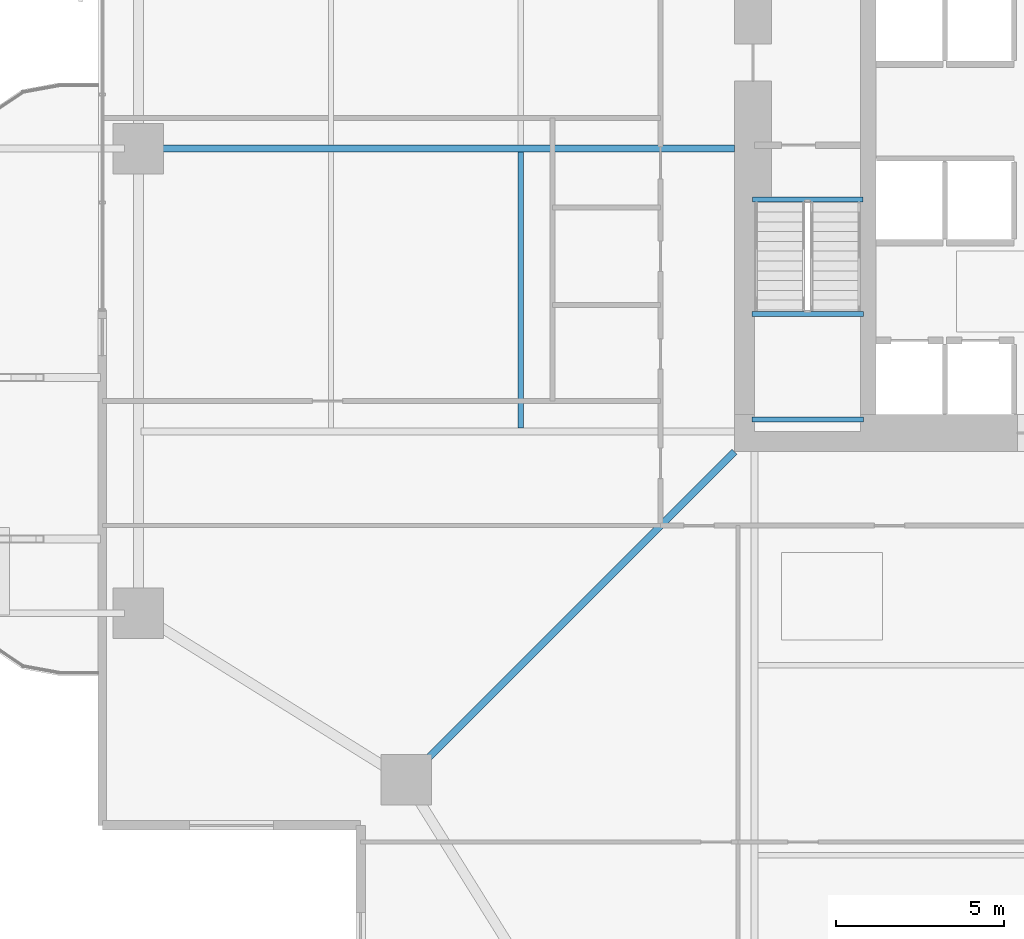
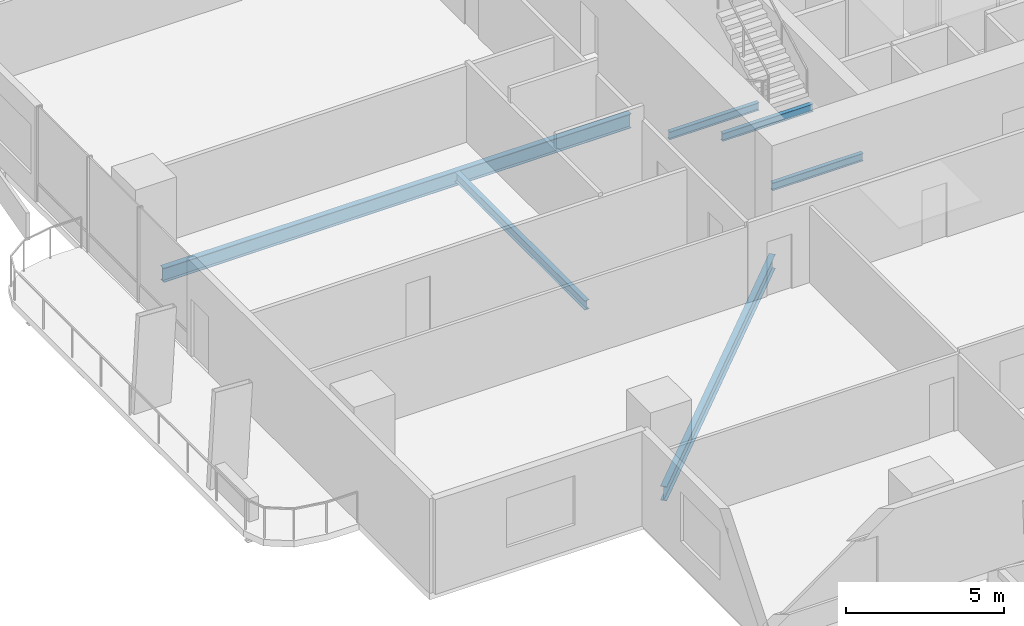
# One storey, part 5 of 24: 6 beams.
"""IFC4 building model written with IfcOpenShell, lengths in metres."""

from ifc_helpers import new_model, si_unit, direction, frame, origin, origin_2d, place, context, subcontext, project, spatial, i_section, extrude, material, material_profile, profile_set, type_object, element, save


model = new_model("IFC4")

# Units and contexts
model_context = context("Model", 3, precision=1e-05, world=origin(), true_north=direction((0.0, 1.0)))
body_context = subcontext(model_context, "Body", "Model", "MODEL_VIEW")
ifc_project = project(units=[si_unit("LENGTHUNIT", "METRE"), si_unit("AREAUNIT", "SQUARE_METRE"), si_unit("VOLUMEUNIT", "CUBIC_METRE"), si_unit("PLANEANGLEUNIT", "RADIAN"), si_unit("MASSUNIT", "GRAM", prefix="KILO")], contexts=[model_context])

# Site, building, storey
site_placement = place(None, origin())
site = spatial("IfcSite", under=ifc_project, at=site_placement, CompositionType="ELEMENT")
building_placement = place(site_placement, origin())
building = spatial("IfcBuilding", under=site, at=building_placement, Name="Belovzor Exchange Tower", CompositionType="ELEMENT")
storey_placement = place(building_placement, frame((0.0, 0.0, 49.5)))
storey = spatial("IfcBuildingStorey", under=building, at=storey_placement, Name="L11", CompositionType="ELEMENT", Elevation=49.5)

# Beams
ifc_material_1 = material(Name="Steel S355", Category="steel")
ifc_material_profile_1 = material_profile(ifc_material_1, i_section(OverallWidth=0.169921875, OverallDepth=0.360107421875, WebThickness=0.008056640625, FlangeThickness=0.0126953125, at=origin_2d()))
ifc_profile_set_1 = profile_set([ifc_material_profile_1], Name="Steel S355")
beam_type_1 = type_object("IfcBeamType", Name="Secondary Infill Floor Joist IPE 360", PredefinedType="BEAM", material=ifc_profile_set_1)
beam_1_placement = place(storey_placement, frame((13.455078125, 20.5048828125, -0.429931640625), z_axis=(0.0, 1.0, 0.0), x_axis=(-1.0, 0.0, 0.0)))
element("IfcBeam", 1, at=beam_1_placement, inside=storey, type_object=beam_type_1, Name="FJ-360 Secondary Infill Floor Joist IPE 360", PredefinedType="BEAM", context=body_context, shape_type="SweptSolid", body=[
    extrude(i_section(OverallWidth=0.169921875, OverallDepth=0.360107421875, WebThickness=0.008056640625, FlangeThickness=0.0126953125, at=origin_2d()), origin(), (0.0, 0.0, 1.0), 8.190185546875),
])
ifc_material_2 = material(Name="Steel S355", Category="steel")
ifc_material_profile_2 = material_profile(ifc_material_2, i_section(OverallWidth=0.14990234375, OverallDepth=0.300048828125, WebThickness=0.007080078125, FlangeThickness=0.0107421875, at=origin_2d()))
ifc_profile_set_2 = profile_set([ifc_material_profile_2], Name="Steel S355")
beam_type_2 = type_object("IfcBeamType", Name="Secondary Trim Floor Joist IPE 300", PredefinedType="BEAM", material=ifc_profile_set_2)
for number, where, z_axis, x_axis, name in (
    (2, (20.320068359375, 23.889892578125, 1.60009765625), (1.0, 0.0, 0.0), (0.0, 1.0, 0.0), "FJ-300 Secondary Trim Floor Joist IPE 300"),
    (3, (20.320068359375, 20.75, 1.60009765625), (1.0, 0.0, 0.0), (0.0, 1.0, 0.0), "FJ-300 Secondary Trim Floor Joist IPE 300"),
):
    element("IfcBeam", number, at=place(storey_placement, frame(where, z_axis=z_axis, x_axis=x_axis)), inside=storey, type_object=beam_type_2, Name=name, PredefinedType="BEAM", context=body_context, shape_type="SweptSolid", body=[
        extrude(i_section(OverallWidth=0.14990234375, OverallDepth=0.300048828125, WebThickness=0.007080078125, FlangeThickness=0.0107421875, at=origin_2d()), origin(), (0.0, 0.0, 1.0), 3.309814453125),
    ])
beam_2_placement = place(storey_placement, frame((20.340087890625, 27.280029296875, -0.39990234375), z_axis=(1.0, 0.0, 0.0), x_axis=(0.0, 1.0, 0.0)))
element("IfcBeam", 4, at=beam_2_placement, inside=storey, type_object=beam_type_2, Name="FJ-300 Secondary Trim Floor Joist IPE 300", PredefinedType="BEAM", context=body_context, shape_type="SweptSolid", body=[
    extrude(i_section(OverallWidth=0.14990234375, OverallDepth=0.300048828125, WebThickness=0.007080078125, FlangeThickness=0.0107421875, at=origin_2d()), origin(), (0.0, 0.0, 1.0), 3.27001953125),
])
ifc_material_3 = material(Name="Steel S355", Category="steel")
ifc_material_profile_3 = material_profile(ifc_material_3, i_section(OverallWidth=0.2099609375, OverallDepth=0.550048828125, WebThickness=0.010986328125, FlangeThickness=0.01708984375, at=origin_2d()))
ifc_profile_set_3 = profile_set([ifc_material_profile_3], Name="Steel S355")
beam_type_3 = type_object("IfcBeamType", Name="Zone 1 Radial Composite Floor Beam IPE 550", PredefinedType="BEAM", material=ifc_profile_set_3)
beam_3_placement = place(storey_placement, frame((19.800048828125, 28.800048828125, -0.52490234375), z_axis=(-1.0, 0.0, 0.0), x_axis=(0.0, -1.0, 0.0)))
element("IfcBeam", 5, at=beam_3_placement, inside=storey, type_object=beam_type_3, Name="FB-550 Zone 1 Radial Composite Floor Beam IPE 550", PredefinedType="BEAM", context=body_context, shape_type="SweptSolid", body=[
    extrude(i_section(OverallWidth=0.2099609375, OverallDepth=0.550048828125, WebThickness=0.010986328125, FlangeThickness=0.01708984375, at=origin_2d()), origin(), (0.0, 0.0, 1.0), 17.0400390625),
])
beam_4_placement = place(storey_placement, frame((19.800048828125, 19.800048828125, -0.52490234375), z_axis=(-0.707106781187, -0.707106781187, 0.0), x_axis=(0.707106781187, -0.707106781187, 0.0)))
element("IfcBeam", 6, at=beam_4_placement, inside=storey, type_object=beam_type_3, Name="FB-550 Zone 1 Radial Composite Floor Beam IPE 550", PredefinedType="BEAM", context=body_context, shape_type="SweptSolid", body=[
    extrude(i_section(OverallWidth=0.2099609375, OverallDepth=0.550048828125, WebThickness=0.010986328125, FlangeThickness=0.01708984375, at=origin_2d()), origin(), (0.0, 0.0, 1.0), 13.25830078125),
])

save(model, "model.ifc")
